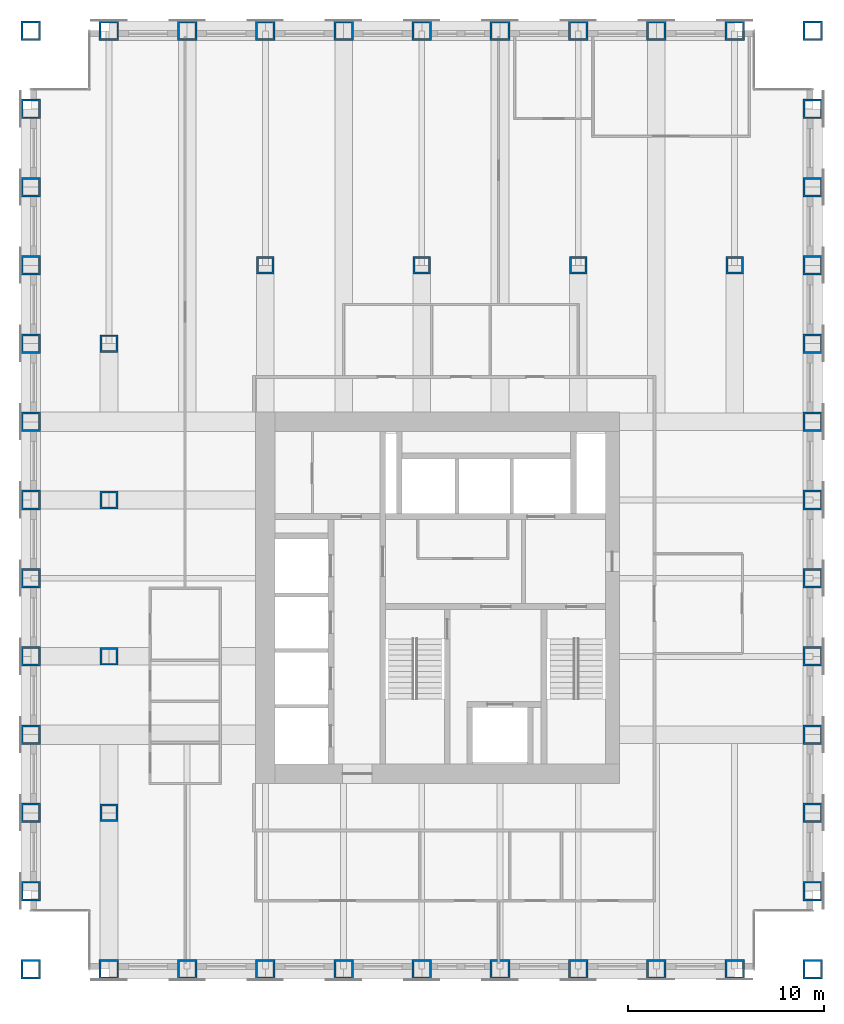
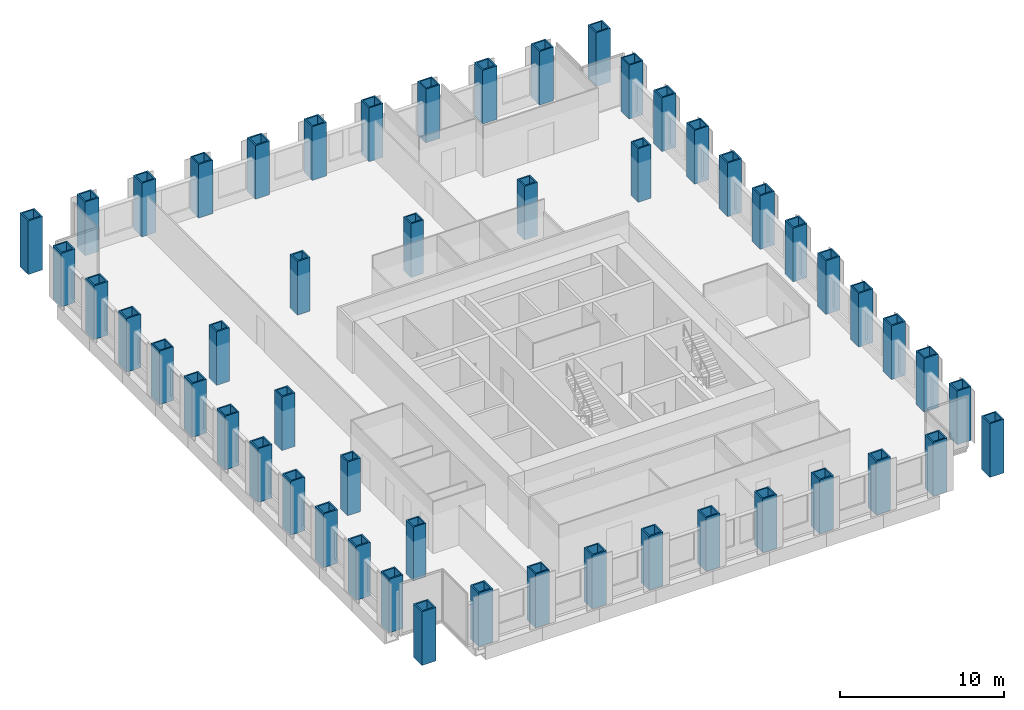
# One storey, part 1 of 13: 52 columns.
"""IFC4 building model written with IfcOpenShell, lengths in metres."""

from ifc_helpers import new_model, si_unit, direction, frame, origin, origin_2d, place, context, subcontext, project, spatial, hollow_rectangle, extrude, material, material_profile, profile_set, type_object, element, save


model = new_model("IFC4")

# Units and contexts
model_context = context("Model", 3, precision=1e-05, world=origin(), true_north=direction((0.0, 1.0)))
body_context = subcontext(model_context, "Body", "Model", "MODEL_VIEW")
ifc_project = project(units=[si_unit("LENGTHUNIT", "METRE"), si_unit("AREAUNIT", "SQUARE_METRE"), si_unit("VOLUMEUNIT", "CUBIC_METRE"), si_unit("PLANEANGLEUNIT", "RADIAN"), si_unit("MASSUNIT", "GRAM", prefix="KILO")], contexts=[model_context])

# Site, building, storey
site_placement = place(None, origin())
site = spatial("IfcSite", under=ifc_project, at=site_placement, CompositionType="ELEMENT")
building_placement = place(site_placement, origin())
building = spatial("IfcBuilding", under=site, at=building_placement, Name="Rimbunsela Tower", CompositionType="ELEMENT")
storey_placement = place(building_placement, frame((0.0, 0.0, 195.800048828125)))
storey = spatial("IfcBuildingStorey", under=building, at=storey_placement, Name="L47", CompositionType="ELEMENT", Elevation=195.800048828125)

# Columns
ifc_material_1 = material(Name="Steel BJ 55 (fy 410 MPa)", Category="steel")
ifc_material_profile_1 = material_profile(ifc_material_1, hollow_rectangle(XDim=1.0, YDim=1.0, WallThickness=0.10009765625, at=origin_2d()), Name="BOX 1000x1000x100")
ifc_profile_set_1 = profile_set([ifc_material_profile_1], Name="Steel BJ 55 (fy 410 MPa)")
column_type_1 = type_object("IfcColumnType", Name="Column BOX 1000x1000x100", PredefinedType="COLUMN", material=ifc_profile_set_1)
for number, where, z_axis, x_axis, name in (
    (1, (6.0, 8.0, 0.0), (0.0, 0.0, 1.0), (1.0, 0.0, 0.0), "Column C1 4/D L47"),
    (2, (6.0, 12.0, 0.0), (0.0, 0.0, 1.0), (1.0, 0.0, 0.0), "Column C1 4/E L47"),
    (3, (6.0, 16.0, 0.0), (0.0, 0.0, 1.0), (1.0, 0.0, 0.0), "Column C1 4/F L47"),
    (4, (6.0, 20.0, 0.0), (0.0, 0.0, 1.0), (1.0, 0.0, 0.0), "Column C1 4/G L47"),
    (5, (6.0, 24.0, 0.0), (0.0, 0.0, 1.0), (1.0, 0.0, 0.0), "Column C1 4/H L47"),
    (6, (6.0, 28.0, 0.0), (0.0, 0.0, 1.0), (1.0, 0.0, 0.0), "Column C1 4/J L47"),
    (7, (6.0, 32.0, 0.0), (0.0, 0.0, 1.0), (1.0, 0.0, 0.0), "Column C1 4/K L47"),
    (8, (6.0, 36.0, 0.0), (0.0, 0.0, 1.0), (1.0, 0.0, 0.0), "Column C1 4/L L47"),
    (9, (6.0, 40.0, 0.0), (0.0, 0.0, 1.0), (1.0, 0.0, 0.0), "Column C1 4/M L47"),
    (10, (6.0, 44.0, 0.0), (0.0, 0.0, 1.0), (1.0, 0.0, 0.0), "Column C1 4/N L47"),
    (11, (6.0, 48.0, 0.0), (0.0, 0.0, 1.0), (1.0, 0.0, 0.0), "Column C1 4/P L47"),
    (12, (6.0, 52.0, 0.0), (0.0, 0.0, 1.0), (1.0, 0.0, 0.0), "Column C1 4/Q L47"),
    (13, (6.0, 56.0, 0.0), (0.0, 0.0, 1.0), (1.0, 0.0, 0.0), "Column C1 4/R L47"),
    (14, (10.0, 8.0, 0.0), (0.0, 0.0, 1.0), (1.0, 0.0, 0.0), "Column C1 5/D L47"),
    (15, (10.0, 56.0, 0.0), (0.0, 0.0, 1.0), (1.0, 0.0, 0.0), "Column C1 5/R L47"),
    (16, (14.0, 8.0, 0.0), (0.0, 0.0, 1.0), (1.0, 0.0, 0.0), "Column C1 6/D L47"),
    (17, (14.0, 56.0, 0.0), (0.0, 0.0, 1.0), (1.0, 0.0, 0.0), "Column C1 6/R L47"),
    (18, (18.0, 8.0, 0.0), (0.0, 0.0, 1.0), (1.0, 0.0, 0.0), "Column C1 7/D L47"),
    (19, (18.0, 56.0, 0.0), (0.0, 0.0, 1.0), (1.0, 0.0, 0.0), "Column C1 7/R L47"),
    (20, (22.0, 8.0, 0.0), (0.0, 0.0, 1.0), (1.0, 0.0, 0.0), "Column C1 8/D L47"),
    (21, (22.0, 56.0, 0.0), (0.0, 0.0, 1.0), (1.0, 0.0, 0.0), "Column C1 8/R L47"),
    (22, (26.0, 8.0, 0.0), (0.0, 0.0, 1.0), (1.0, 0.0, 0.0), "Column C1 9/D L47"),
    (23, (26.0, 56.0, 0.0), (0.0, 0.0, 1.0), (1.0, 0.0, 0.0), "Column C1 9/R L47"),
    (24, (30.0, 8.0, 0.0), (0.0, 0.0, 1.0), (1.0, 0.0, 0.0), "Column C1 10/D L47"),
    (25, (30.0, 56.0, 0.0), (0.0, 0.0, 1.0), (1.0, 0.0, 0.0), "Column C1 10/R L47"),
    (26, (34.0, 8.0, 0.0), (0.0, 0.0, 1.0), (1.0, 0.0, 0.0), "Column C1 11/D L47"),
    (27, (34.0, 56.0, 0.0), (0.0, 0.0, 1.0), (1.0, 0.0, 0.0), "Column C1 11/R L47"),
    (28, (38.0, 8.0, 0.0), (0.0, 0.0, 1.0), (1.0, 0.0, 0.0), "Column C1 12/D L47"),
    (29, (38.0, 56.0, 0.0), (0.0, 0.0, 1.0), (1.0, 0.0, 0.0), "Column C1 12/R L47"),
    (30, (42.0, 8.0, 0.0), (0.0, 0.0, 1.0), (1.0, 0.0, 0.0), "Column C1 13/D L47"),
    (31, (42.0, 56.0, 0.0), (0.0, 0.0, 1.0), (1.0, 0.0, 0.0), "Column C1 13/R L47"),
    (32, (46.0, 8.0, 0.0), (0.0, 0.0, 1.0), (1.0, 0.0, 0.0), "Column C1 14/D L47"),
    (33, (46.0, 12.0, 0.0), (0.0, 0.0, 1.0), (1.0, 0.0, 0.0), "Column C1 14/E L47"),
    (34, (46.0, 16.0, 0.0), (0.0, 0.0, 1.0), (1.0, 0.0, 0.0), "Column C1 14/F L47"),
    (35, (46.0, 20.0, 0.0), (0.0, 0.0, 1.0), (1.0, 0.0, 0.0), "Column C1 14/G L47"),
    (36, (46.0, 24.0, 0.0), (0.0, 0.0, 1.0), (1.0, 0.0, 0.0), "Column C1 14/H L47"),
    (37, (46.0, 28.0, 0.0), (0.0, 0.0, 1.0), (1.0, 0.0, 0.0), "Column C1 14/J L47"),
    (38, (46.0, 32.0, 0.0), (0.0, 0.0, 1.0), (1.0, 0.0, 0.0), "Column C1 14/K L47"),
    (39, (46.0, 36.0, 0.0), (0.0, 0.0, 1.0), (1.0, 0.0, 0.0), "Column C1 14/L L47"),
    (40, (46.0, 40.0, 0.0), (0.0, 0.0, 1.0), (1.0, 0.0, 0.0), "Column C1 14/M L47"),
    (41, (46.0, 44.0, 0.0), (0.0, 0.0, 1.0), (1.0, 0.0, 0.0), "Column C1 14/N L47"),
    (42, (46.0, 48.0, 0.0), (0.0, 0.0, 1.0), (1.0, 0.0, 0.0), "Column C1 14/P L47"),
    (43, (46.0, 52.0, 0.0), (0.0, 0.0, 1.0), (1.0, 0.0, 0.0), "Column C1 14/Q L47"),
    (44, (46.0, 56.0, 0.0), (0.0, 0.0, 1.0), (1.0, 0.0, 0.0), "Column C1 14/R L47"),
):
    element("IfcColumn", number, at=place(storey_placement, frame(where, z_axis=z_axis, x_axis=x_axis)), inside=storey, type_object=column_type_1, Name=name, PredefinedType="COLUMN", context=body_context, shape_type="SweptSolid", body=[
        extrude(hollow_rectangle(XDim=1.0, YDim=1.0, WallThickness=0.10009765625, at=origin_2d()), origin(), (0.0, 0.0, 1.0), 4.0),
    ])
ifc_material_2 = material(Name="Steel BJ 55 (fy 410 MPa)", Category="steel")
ifc_material_profile_2 = material_profile(ifc_material_2, hollow_rectangle(XDim=0.89990234375, YDim=0.89990234375, WallThickness=0.10009765625, at=origin_2d()), Name="BOX 900x900x100")
ifc_profile_set_2 = profile_set([ifc_material_profile_2], Name="Steel BJ 55 (fy 410 MPa)")
column_type_2 = type_object("IfcColumnType", Name="Column BOX 900x900x100", PredefinedType="COLUMN", material=ifc_profile_set_2)
for number, where, z_axis, x_axis, name in (
    (45, (10.0, 16.0, 0.0), (0.0, 0.0, 1.0), (1.0, 0.0, 0.0), "Column C5 5/F L47"),
    (46, (10.0, 24.0, 0.0), (0.0, 0.0, 1.0), (1.0, 0.0, 0.0), "Column C5 5/H L47"),
    (47, (10.0, 32.0, 0.0), (0.0, 0.0, 1.0), (1.0, 0.0, 0.0), "Column C5 5/K L47"),
    (48, (10.0, 40.0, 0.0), (0.0, 0.0, 1.0), (1.0, 0.0, 0.0), "Column C5 5/M L47"),
    (49, (18.0, 44.0, 0.0), (0.0, 0.0, 1.0), (1.0, 0.0, 0.0), "Column C5 7/N L47"),
    (50, (26.0, 44.0, 0.0), (0.0, 0.0, 1.0), (1.0, 0.0, 0.0), "Column C5 9/N L47"),
    (51, (34.0, 44.0, 0.0), (0.0, 0.0, 1.0), (1.0, 0.0, 0.0), "Column C5 11/N L47"),
    (52, (42.0, 44.0, 0.0), (0.0, 0.0, 1.0), (1.0, 0.0, 0.0), "Column C5 13/N L47"),
):
    element("IfcColumn", number, at=place(storey_placement, frame(where, z_axis=z_axis, x_axis=x_axis)), inside=storey, type_object=column_type_2, Name=name, PredefinedType="COLUMN", context=body_context, shape_type="SweptSolid", body=[
        extrude(hollow_rectangle(XDim=0.89990234375, YDim=0.89990234375, WallThickness=0.10009765625, at=origin_2d()), origin(), (0.0, 0.0, 1.0), 4.0),
    ])

save(model, "model.ifc")
